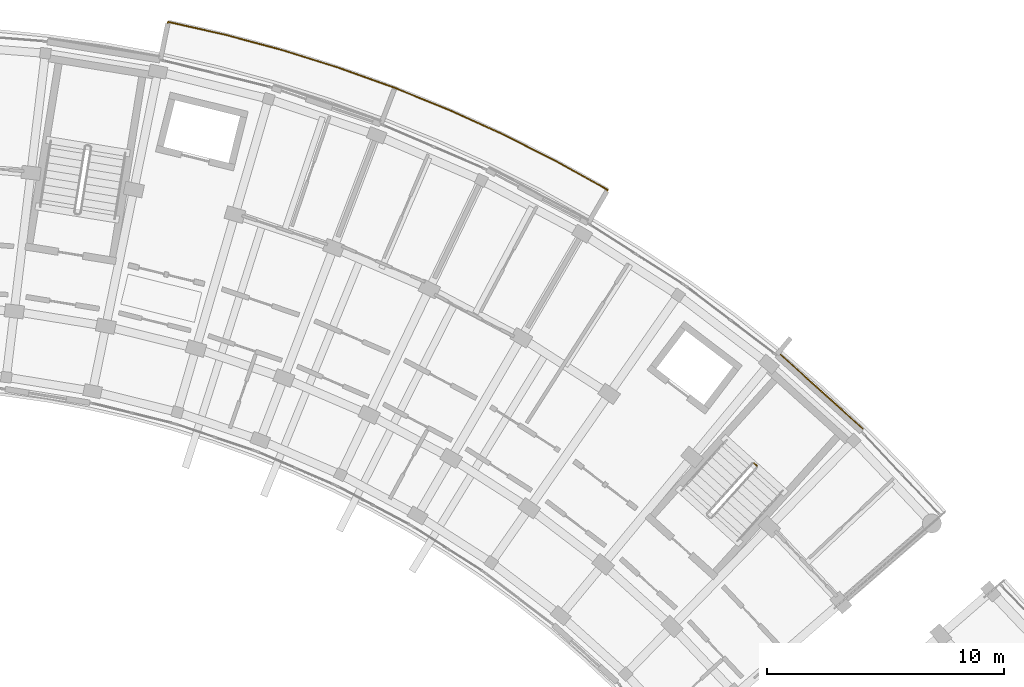
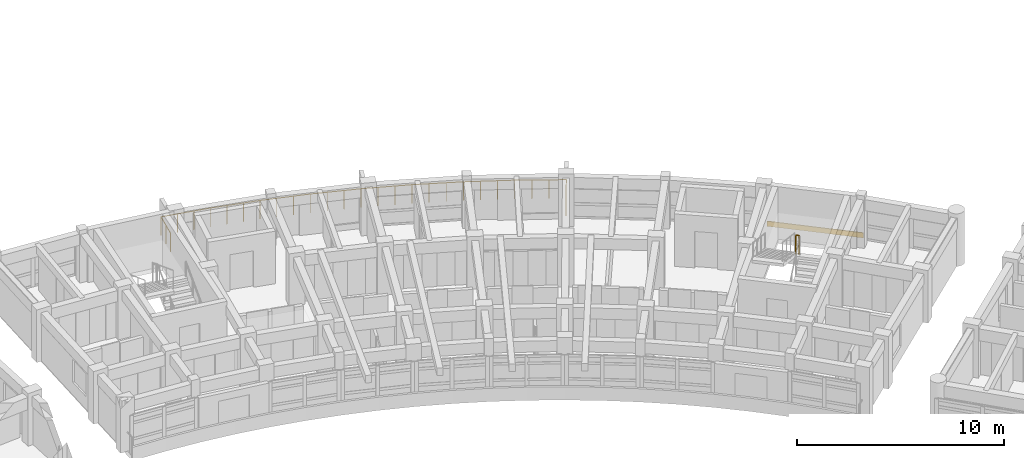
# One storey, part 51 of 54: 2 railings, 1 covering.
"""IFC4 building model written with IfcOpenShell, lengths in metres."""

from ifc_helpers import new_model, si_unit, direction, frame, origin, origin_2d, place, context, subcontext, project, spatial, rectangle, circle, extrude, material, layer, layer_set, type_object, element, save


model = new_model("IFC4")

# Units and contexts
model_context = context("Model", 3, precision=1e-05, world=origin(), true_north=direction((0.0, 1.0)))
body_context = subcontext(model_context, "Body", "Model", "MODEL_VIEW")
ifc_project = project(units=[si_unit("LENGTHUNIT", "METRE"), si_unit("AREAUNIT", "SQUARE_METRE"), si_unit("VOLUMEUNIT", "CUBIC_METRE"), si_unit("PLANEANGLEUNIT", "RADIAN"), si_unit("MASSUNIT", "GRAM", prefix="KILO")], contexts=[model_context])

# Site, building, storey
site_placement = place(None, origin())
site = spatial("IfcSite", under=ifc_project, at=site_placement, CompositionType="ELEMENT")
building_placement = place(site_placement, origin())
building = spatial("IfcBuilding", under=site, at=building_placement, Name="Zimvara Arc Housing Community", CompositionType="ELEMENT")
storey_placement = place(building_placement, frame((0.0, 0.0, 20.5)))
storey = spatial("IfcBuildingStorey", under=building, at=storey_placement, Name="L06", CompositionType="ELEMENT", Elevation=20.5)

# Covering
ifc_material_1 = material(Name="Pale-Gold Anodised Aluminium Cladding", Category="aluminium")
ifc_layer = layer(ifc_material_1, 0.0400390625)
ifc_layer_set = layer_set([ifc_layer], Name="Pale-Gold Anodised Aluminium Cladding")
covering_type = type_object("IfcCoveringType", Name="CLD-GOLD-01", PredefinedType="CLADDING", material=ifc_layer_set)
covering_placement = place(storey_placement, frame((84.772705078125, 88.703125, 0.009765625), z_axis=(0.0, 0.0, 1.0), x_axis=(0.74337718344, -0.668872456557, 0.0)))
element("IfcCovering", 1, at=covering_placement, inside=storey, type_object=covering_type, Name="cld:blkB:L06:out:b8", PredefinedType="CLADDING", context=body_context, shape_type="SweptSolid", body=[
    extrude(rectangle(XDim=4.748779296875, YDim=0.0400390625, at=origin_2d()), origin(), (0.0, 0.0, 1.0), 0.300048828125),
])

# Railings
ifc_material_2 = material(Name="Anodised Aluminium AW-6063", Category="aluminium")
railing_type = type_object("IfcRailingType", Name="RLG-BAL-1120", PredefinedType="BALUSTRADE", material=ifc_material_2)
railing_1_placement = place(storey_placement, frame((56.933349609375, 102.842041015625, 0.0)))
element("IfcRailing", 2, at=railing_1_placement, inside=storey, type_object=railing_type, Name="rlg:blkB:L06:bal_out_guard", PredefinedType="BALUSTRADE", context=body_context, shape_type="SweptSolid", body=[
    extrude(circle(Radius=0.02392578125, at=origin_2d()), frame((0.0, 0.0, 1.09619140625), z_axis=(0.200457825929, 0.979702332356, 0.0), x_axis=(-0.979702332356, 0.200457825929, 0.0)), (0.0, 0.0, 1.0), 1.469970703125),
    extrude(circle(Radius=0.02392578125, at=origin_2d()), frame((0.294677734375, 1.440185546875, 1.09619140625), z_axis=(0.975422665062, -0.220342062447, 0.0), x_axis=(0.220342062447, 0.975422665062, 0.0)), (0.0, 0.0, 1.0), 2.491943359375),
    extrude(circle(Radius=0.02392578125, at=origin_2d()), frame((2.725341796875, 0.89111328125, 1.09619140625), z_axis=(0.965604406451, -0.260015634611, 0.0), x_axis=(0.260015634611, 0.965604406451, 0.0)), (0.0, 0.0, 1.0), 2.491943359375),
    extrude(circle(Radius=0.02392578125, at=origin_2d()), frame((5.131591796875, 0.2431640625, 1.09619140625), z_axis=(0.95418488811, -0.299217645373, 0.0), x_axis=(0.299217645373, 0.95418488811, 0.0)), (0.0, 0.0, 1.0), 2.491943359375),
    extrude(circle(Radius=0.02392578125, at=origin_2d()), frame((7.50927734375, -0.50244140625, 1.09619140625), z_axis=(0.94118428576, -0.337893681856, 0.0), x_axis=(0.337893681856, 0.94118428576, 0.0)), (0.0, 0.0, 1.0), 2.491943359375),
    extrude(circle(Radius=0.02392578125, at=origin_2d()), frame((9.854736328125, -1.344482421875, 1.09619140625), z_axis=(0.926613832847, -0.37601436778, 0.0), x_axis=(0.37601436778, 0.926613832847, 0.0)), (0.0, 0.0, 1.0), 2.491943359375),
    extrude(circle(Radius=0.02392578125, at=origin_2d()), frame((12.163818359375, -2.281494140625, 1.09619140625), z_axis=(0.910443630497, -0.413633165604, 0.0), x_axis=(0.413633165604, 0.910443630497, 0.0)), (0.0, 0.0, 1.0), 2.491943359375),
    extrude(circle(Radius=0.02392578125, at=origin_2d()), frame((14.4326171875, -3.312255859375, 1.09619140625), z_axis=(0.892834384016, -0.450385127107, 0.0), x_axis=(0.450385127107, 0.892834384016, 0.0)), (0.0, 0.0, 1.0), 2.491943359375),
    extrude(circle(Radius=0.02392578125, at=origin_2d()), frame((16.657470703125, -4.4345703125, 1.09619140625), z_axis=(0.873653060707, -0.486549411178, 0.0), x_axis=(0.486549411178, 0.873653060707, 0.0)), (0.0, 0.0, 1.0), 2.491943359375),
    extrude(circle(Radius=0.02392578125, at=origin_2d()), frame((18.83447265625, -5.64697265625, 1.09619140625), z_axis=(-0.50427373705, -0.863543859987, 0.0), x_axis=(0.863543859987, -0.50427373705, 0.0)), (0.0, 0.0, 1.0), 1.469970703125),
    extrude(circle(Radius=0.02099609375, at=origin_2d()), origin(), (0.0, 0.0, 1.0), 1.072021484375),
    extrude(circle(Radius=0.02099609375, at=origin_2d()), frame((0.1474609375, 0.72021484375, 0.0)), (0.0, 0.0, 1.0), 1.072021484375),
    extrude(circle(Radius=0.02099609375, at=origin_2d()), frame((0.294677734375, 1.440185546875, 0.0)), (0.0, 0.0, 1.0), 1.072021484375),
    extrude(circle(Radius=0.02099609375, at=origin_2d()), frame((1.10498046875, 1.257080078125, 0.0)), (0.0, 0.0, 1.0), 1.072021484375),
    extrude(circle(Radius=0.02099609375, at=origin_2d()), frame((1.9150390625, 1.07421875, 0.0)), (0.0, 0.0, 1.0), 1.072021484375),
    extrude(circle(Radius=0.02099609375, at=origin_2d()), frame((2.725341796875, 0.89111328125, 0.0)), (0.0, 0.0, 1.0), 1.072021484375),
    extrude(circle(Radius=0.02099609375, at=origin_2d()), frame((3.52734375, 0.675048828125, 0.0)), (0.0, 0.0, 1.0), 1.072021484375),
    extrude(circle(Radius=0.02099609375, at=origin_2d()), frame((4.32958984375, 0.459228515625, 0.0)), (0.0, 0.0, 1.0), 1.072021484375),
    extrude(circle(Radius=0.02099609375, at=origin_2d()), frame((5.131591796875, 0.2431640625, 0.0)), (0.0, 0.0, 1.0), 1.072021484375),
    extrude(circle(Radius=0.02099609375, at=origin_2d()), frame((5.924072265625, -0.00537109375, 0.0)), (0.0, 0.0, 1.0), 1.072021484375),
    extrude(circle(Radius=0.02099609375, at=origin_2d()), frame((6.716796875, -0.25390625, 0.0)), (0.0, 0.0, 1.0), 1.072021484375),
    extrude(circle(Radius=0.02099609375, at=origin_2d()), frame((7.50927734375, -0.50244140625, 0.0)), (0.0, 0.0, 1.0), 1.072021484375),
    extrude(circle(Radius=0.02099609375, at=origin_2d()), frame((8.291015625, -0.783203125, 0.0)), (0.0, 0.0, 1.0), 1.072021484375),
    extrude(circle(Radius=0.02099609375, at=origin_2d()), frame((9.072998046875, -1.063720703125, 0.0)), (0.0, 0.0, 1.0), 1.072021484375),
    extrude(circle(Radius=0.02099609375, at=origin_2d()), frame((9.854736328125, -1.344482421875, 0.0)), (0.0, 0.0, 1.0), 1.072021484375),
    extrude(circle(Radius=0.02099609375, at=origin_2d()), frame((10.62451171875, -1.65673828125, 0.0)), (0.0, 0.0, 1.0), 1.072021484375),
    extrude(circle(Radius=0.02099609375, at=origin_2d()), frame((11.39404296875, -1.96923828125, 0.0)), (0.0, 0.0, 1.0), 1.072021484375),
    extrude(circle(Radius=0.02099609375, at=origin_2d()), frame((12.163818359375, -2.281494140625, 0.0)), (0.0, 0.0, 1.0), 1.072021484375),
    extrude(circle(Radius=0.02099609375, at=origin_2d()), frame((12.920166015625, -2.625, 0.0)), (0.0, 0.0, 1.0), 1.072021484375),
    extrude(circle(Radius=0.02099609375, at=origin_2d()), frame((13.67626953125, -2.96875, 0.0)), (0.0, 0.0, 1.0), 1.072021484375),
    extrude(circle(Radius=0.02099609375, at=origin_2d()), frame((14.4326171875, -3.312255859375, 0.0)), (0.0, 0.0, 1.0), 1.072021484375),
    extrude(circle(Radius=0.02099609375, at=origin_2d()), frame((15.17431640625, -3.686279296875, 0.0)), (0.0, 0.0, 1.0), 1.072021484375),
    extrude(circle(Radius=0.02099609375, at=origin_2d()), frame((15.915771484375, -4.060546875, 0.0)), (0.0, 0.0, 1.0), 1.072021484375),
    extrude(circle(Radius=0.02099609375, at=origin_2d()), frame((16.657470703125, -4.4345703125, 0.0)), (0.0, 0.0, 1.0), 1.072021484375),
    extrude(circle(Radius=0.02099609375, at=origin_2d()), frame((17.383056640625, -4.838623046875, 0.0)), (0.0, 0.0, 1.0), 1.072021484375),
    extrude(circle(Radius=0.02099609375, at=origin_2d()), frame((18.10888671875, -5.242919921875, 0.0)), (0.0, 0.0, 1.0), 1.072021484375),
    extrude(circle(Radius=0.02099609375, at=origin_2d()), frame((18.83447265625, -5.64697265625, 0.0)), (0.0, 0.0, 1.0), 1.072021484375),
    extrude(circle(Radius=0.02099609375, at=origin_2d()), frame((18.4638671875, -6.28173828125, 0.0)), (0.0, 0.0, 1.0), 1.072021484375),
    extrude(circle(Radius=0.02099609375, at=origin_2d()), frame((18.09326171875, -6.916259765625, 0.0)), (0.0, 0.0, 1.0), 1.072021484375),
])
railing_2_placement = place(storey_placement, frame((82.05615234375, 85.564208984375, 1.550048828125)))
element("IfcRailing", 3, at=railing_2_placement, inside=storey, type_object=railing_type, Name="L06 ST-B2 stair guard 2", PredefinedType="BALUSTRADE", context=body_context, shape_type="SweptSolid", body=[
    extrude(circle(Radius=0.02392578125, at=origin_2d()), frame((0.0, 0.0, 1.09619140625), z_axis=(-0.744203407529, 0.667953058397, 0.0), x_axis=(-0.667953058397, -0.744203407529, 0.0)), (0.0, 0.0, 1.0), 0.16015625),
    extrude(circle(Radius=0.02099609375, at=origin_2d()), origin(), (0.0, 0.0, 1.0), 1.072021484375),
    extrude(circle(Radius=0.02099609375, at=origin_2d()), frame((-0.119140625, 0.10693359375, 0.0)), (0.0, 0.0, 1.0), 1.072021484375),
])

save(model, "model.ifc")
